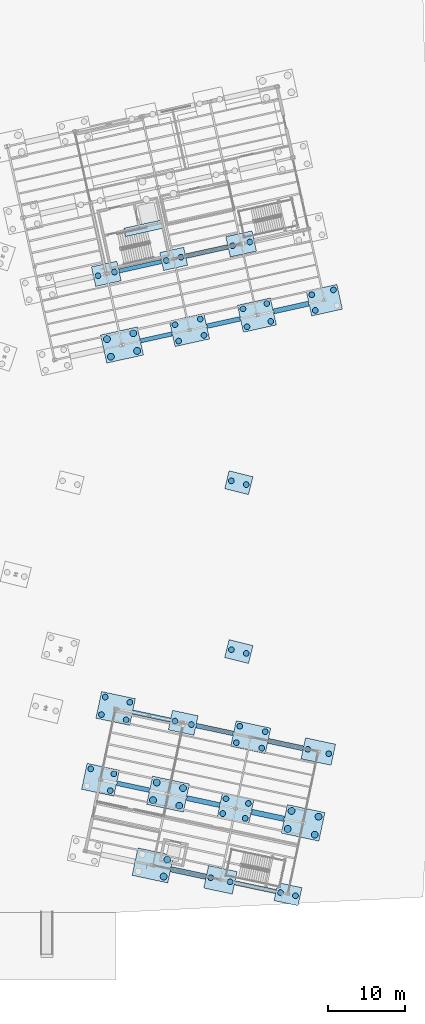
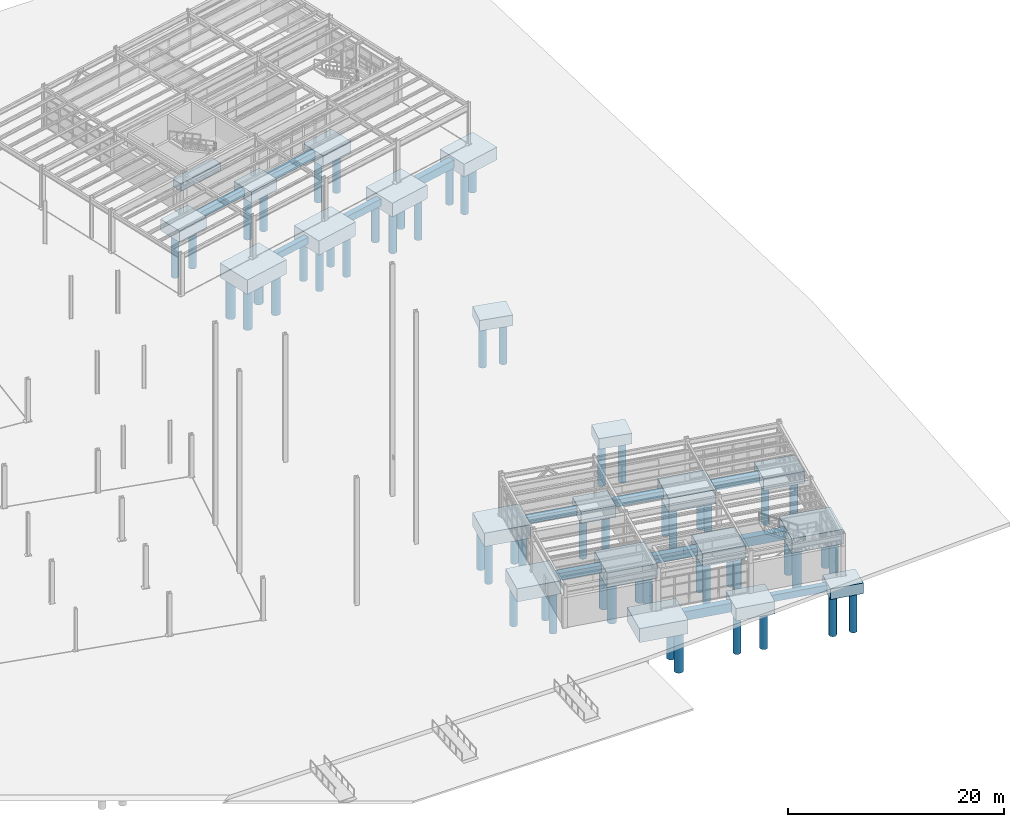
# One storey, part 7 of 108: 58 piles, 34 footings.
"""IFC4 building model written with IfcOpenShell, lengths in metres."""

import ifcopenshell
import ifcopenshell.guid

model = None  # the IFC model being written
_history = None  # IfcOwnerHistory: only IFC2X3 demands one
_inside = {}  # id of a spatial element -> (the spatial element, [elements in it])
_under = {}  # id of a project, library or spatial element -> (it, [spatial elements below it])
_declared = {}  # id of a project -> (the project, [libraries it declares])
_typed = {}  # id of a type object -> (the type object, [elements of that type])
_made_of = {}  # id of a material, layer set ... -> (it, [elements and type objects made of it])


def new_model(schema):
    """Start an empty IFC model of exactly this schema.

    Asked for "IFC4X3", IfcOpenShell would pick the latest addendum, in which some entities
    have other attributes; the version numbers below select the first issue.
    IFC2X3 requires an IfcOwnerHistory on every rooted entity: one is made here for all.
    """
    global model, _history
    if schema == "IFC4X3":
        model = ifcopenshell.file(schema_version=(4, 3, 0, 0))
    else:
        model = ifcopenshell.file(schema=schema)
    _inside.clear()
    _under.clear()
    _declared.clear()
    _typed.clear()
    _made_of.clear()
    _history = None
    if model.schema == "IFC2X3":
        org = make("IfcOrganization", Name="unknown")
        user = make(
            "IfcPersonAndOrganization",
            ThePerson=make("IfcPerson", FamilyName="unknown"),
            TheOrganization=org,
        )
        app = make(
            "IfcApplication",
            ApplicationDeveloper=org,
            Version="unknown",
            ApplicationFullName="unknown",
            ApplicationIdentifier="unknown",
        )
        _history = make(
            "IfcOwnerHistory",
            OwningUser=user,
            OwningApplication=app,
            ChangeAction="ADDED",
            CreationDate=0,
        )
    return model


def make(cls, **values):
    """One entity of the class cls with the attributes given. An attribute that is None is left unset."""
    return model.create_entity(
        cls, **{name: value for name, value in values.items() if value is not None}
    )


def rooted(cls, **values):
    """An entity with a GlobalId (a new one), such as an element, a storey or a relation."""
    return make(cls, GlobalId=ifcopenshell.guid.new(), OwnerHistory=_history, **values)


def si_unit(unit_type, name, prefix=None):
    """IfcSIUnit, for example si_unit("LENGTHUNIT", "METRE", prefix="MILLI")."""
    return make("IfcSIUnit", UnitType=unit_type, Prefix=prefix, Name=name)


def assignment(units):
    """IfcUnitAssignment: the units of a project."""
    return None if units is None else make("IfcUnitAssignment", Units=units)


def point(xyz):
    """IfcCartesianPoint."""
    return None if xyz is None else make("IfcCartesianPoint", Coordinates=xyz)


def direction(xyz):
    """IfcDirection."""
    return None if xyz is None else make("IfcDirection", DirectionRatios=xyz)


def frame(location, z_axis=None, x_axis=None):
    """IfcAxis2Placement3D, a coordinate frame: its origin and axes. An axis left out is left unset."""
    return make(
        "IfcAxis2Placement3D",
        Location=point(location),
        Axis=direction(z_axis),
        RefDirection=direction(x_axis),
    )


def frame_2d(location, x_axis=None):
    """IfcAxis2Placement2D, a coordinate frame in the plane: its origin and x axis."""
    return make(
        "IfcAxis2Placement2D", Location=point(location), RefDirection=direction(x_axis)
    )


def origin():
    """The frame at (0, 0, 0) with its axes left unset."""
    return frame((0.0, 0.0, 0.0))


def origin_2d():
    """The frame at (0, 0) in the plane with its x axis left unset."""
    return frame_2d((0.0, 0.0))


def place(relative_to, where):
    """IfcLocalPlacement: puts the frame where relative to a parent placement (None: the world)."""
    return make(
        "IfcLocalPlacement", PlacementRelTo=relative_to, RelativePlacement=where
    )


def context(
    kind, dimensions, precision=None, world=None, true_north=None, identifier=None
):
    """IfcGeometricRepresentationContext, for example the 3D "Model" context."""
    return make(
        "IfcGeometricRepresentationContext",
        ContextIdentifier=identifier,
        ContextType=kind,
        CoordinateSpaceDimension=dimensions,
        Precision=precision,
        WorldCoordinateSystem=world,
        TrueNorth=true_north,
    )


def subcontext(parent, identifier, kind, view, scale=None):
    """IfcGeometricRepresentationSubContext, for example "Body" below "Model"."""
    return make(
        "IfcGeometricRepresentationSubContext",
        ContextIdentifier=identifier,
        ContextType=kind,
        ParentContext=parent,
        TargetScale=scale,
        TargetView=view,
    )


def project(units=None, contexts=None):
    """IfcProject with its units and contexts."""
    return rooted(
        "IfcProject",
        Name="project",
        RepresentationContexts=contexts,
        UnitsInContext=assignment(units),
    )


def spatial(cls, under=None, at=None, **own):
    """A site, building, storey or space (cls), placed at a placement, below another one or the project."""
    s = rooted(cls, ObjectPlacement=at, **own)
    if under is not None:
        _under.setdefault(under.id(), (under, []))[1].append(s)
    return s


def profile(cls, at=None, kind="AREA", **sizes):
    """A parametric profile (cls). Its sizes go by their IFC names, for example OverallWidth=200.0."""
    return make(cls, ProfileType=kind, Position=at, **sizes)


def rectangle(**sizes):
    """IfcRectangleProfileDef."""
    return profile("IfcRectangleProfileDef", **sizes)


def circle(**sizes):
    """IfcCircleProfileDef."""
    return profile("IfcCircleProfileDef", **sizes)


def extrude(swept, where, along, depth):
    """IfcExtrudedAreaSolid: the profile swept, set in the frame where, extruded along a direction by depth."""
    return make(
        "IfcExtrudedAreaSolid",
        SweptArea=swept,
        Position=where,
        ExtrudedDirection=direction(along),
        Depth=depth,
    )


def shape(context_of_items, identifier, shape_type, items):
    """IfcShapeRepresentation: the items that make up one representation, for example the "Body"."""
    return make(
        "IfcShapeRepresentation",
        ContextOfItems=context_of_items,
        RepresentationIdentifier=identifier,
        RepresentationType=shape_type,
        Items=items,
    )


def material(Name=None, Category=None):
    """IfcMaterial."""
    return make("IfcMaterial", Name=Name, Category=Category)


def material_profile(
    of_material, cross_section, Name=None, Category=None, Priority=None
):
    """IfcMaterialProfile: a cross section and its material."""
    return make(
        "IfcMaterialProfile",
        Name=Name,
        Material=of_material,
        Profile=cross_section,
        Priority=Priority,
        Category=Category,
    )


def profile_set(profiles, Name=None, composite=None):
    """IfcMaterialProfileSet."""
    return make(
        "IfcMaterialProfileSet",
        Name=Name,
        MaterialProfiles=profiles,
        CompositeProfile=composite,
    )


def made_of(thing, what):
    """Note that an element or type object is made of a material, layer set ...; save() writes the relation."""
    if what is not None:
        _made_of.setdefault(what.id(), (what, []))[1].append(thing)
    return thing


def type_object(cls, material=None, **own):
    """A type object (cls), such as IfcWallType, which elements share."""
    return made_of(rooted(cls, **own), material)


def element(
    cls,
    number,
    at=None,
    inside=None,
    cuts=None,
    type_object=None,
    material=None,
    context=None,
    identifier="Body",
    shape_type=None,
    held_by="IfcProductDefinitionShape",
    body=None,
    shapes=None,
    **own,
):
    """One element of the class cls, such as IfcWall. Its Tag is "e" and its number.

    at: its placement. inside: the storey or other place that contains it. cuts: it is an
    opening in that element (IfcRelVoidsElement). A single representation is given by context,
    identifier, shape_type and body (its items); several are given by shapes. held_by: the class
    of the entity that holds the representations. save() writes the other relations.
    """
    e = rooted(cls, Tag="e%d" % number, ObjectPlacement=at, **own)
    if body is not None:
        shapes = [shape(context, identifier, shape_type, body)]
    if shapes is not None:
        e.Representation = make(held_by, Representations=shapes)
    if inside is not None:
        _inside.setdefault(inside.id(), (inside, []))[1].append(e)
    if cuts is not None:
        rooted(
            "IfcRelVoidsElement", RelatingBuildingElement=cuts, RelatedOpeningElement=e
        )
    if type_object is not None:
        _typed.setdefault(type_object.id(), (type_object, []))[1].append(e)
    return made_of(e, material)


def aggregate(whole, parts):
    """IfcRelAggregates: a whole, such as a stair, and the parts it consists of."""
    return rooted("IfcRelAggregates", RelatingObject=whole, RelatedObjects=parts)


def save(model, path):
    """Write the relations noted so far, then the file.

    IfcRelAggregates (storeys below a building ...), IfcRelContainedInSpatialStructure (elements
    in a storey), IfcRelDefinesByType, IfcRelAssociatesMaterial and IfcRelDeclares: one each for
    every whole, place, type object, material and project.
    """
    for whole, parts in _under.values():
        aggregate(whole, parts)
    for where, things in _inside.values():
        rooted(
            "IfcRelContainedInSpatialStructure",
            RelatedElements=things,
            RelatingStructure=where,
        )
    for kind, things in _typed.values():
        rooted("IfcRelDefinesByType", RelatedObjects=things, RelatingType=kind)
    for what, things in _made_of.values():
        rooted("IfcRelAssociatesMaterial", RelatedObjects=things, RelatingMaterial=what)
    for by, libraries in _declared.values():
        rooted("IfcRelDeclares", RelatingContext=by, RelatedDefinitions=libraries)
    model.write(path)


model = new_model("IFC4")

# Units and contexts
model_context = context("Model", 3, precision=1e-05, world=origin(), true_north=direction((0.0, 1.0)))
body_context = subcontext(model_context, "Body", "Model", "MODEL_VIEW")
ifc_project = project(units=[si_unit("LENGTHUNIT", "METRE"), si_unit("AREAUNIT", "SQUARE_METRE"), si_unit("VOLUMEUNIT", "CUBIC_METRE"), si_unit("PLANEANGLEUNIT", "RADIAN"), si_unit("MASSUNIT", "GRAM", prefix="KILO")], contexts=[model_context])

# Site, building, storey
site_placement = place(None, origin())
site = spatial("IfcSite", under=ifc_project, at=site_placement, CompositionType="ELEMENT")
building_placement = place(site_placement, origin())
building = spatial("IfcBuilding", under=site, at=building_placement, Name="Vireo Bluff Cable Station", CompositionType="ELEMENT")
storey_placement = place(building_placement, origin())
storey = spatial("IfcBuildingStorey", under=building, at=storey_placement, Name="L00", CompositionType="ELEMENT", Elevation=0.0)

# Piles
ifc_material_1 = material(Name="Concrete f'c 45 MPa", Category="concrete")
ifc_material_profile_1 = material_profile(ifc_material_1, circle(Radius=0.375, at=origin_2d()), Name="BOREDPILE-750")
ifc_profile_set_1 = profile_set([ifc_material_profile_1], Name="Concrete f'c 45 MPa")
pile_type_1 = type_object("IfcPileType", Name="BOREDPILE-750", PredefinedType="BORED", material=ifc_profile_set_1)
for number, where, z_axis, x_axis, name in (
    (1, (131.661376953125, 84.98583984375, -1.6298828125), (0.0, 0.0, -1.0), (1.0, 0.0, 0.0), "V2 rock-socketed bored pile 99"),
    (2, (133.799560546875, 85.459716796875, -1.6298828125), (0.0, 0.0, -1.0), (1.0, 0.0, 0.0), "V2 rock-socketed bored pile 100"),
):
    element("IfcPile", number, at=place(storey_placement, frame(where, z_axis=z_axis, x_axis=x_axis)), inside=storey, type_object=pile_type_1, Name=name, PredefinedType="BORED", context=body_context, shape_type="SweptSolid", body=[
        extrude(circle(Radius=0.375, at=origin_2d()), origin(), (0.0, 0.0, 1.0), 4.8701171875),
    ])
for number, where, z_axis, x_axis, name in (
    (3, (142.155517578125, 76.4599609375, -1.929931640625), (0.0, 0.0, -1.0), (1.0, 0.0, 0.0), "V2 rock-socketed bored pile 107"),
    (4, (145.465087890625, 77.19384765625, -1.929931640625), (0.0, 0.0, -1.0), (1.0, 0.0, 0.0), "V2 rock-socketed bored pile 108"),
    (5, (144.9912109375, 79.331787109375, -1.929931640625), (0.0, 0.0, -1.0), (1.0, 0.0, 0.0), "V2 rock-socketed bored pile 109"),
    (6, (141.681396484375, 78.59814453125, -1.929931640625), (0.0, 0.0, -1.0), (1.0, 0.0, 0.0), "V2 rock-socketed bored pile 110"),
):
    element("IfcPile", number, at=place(storey_placement, frame(where, z_axis=z_axis, x_axis=x_axis)), inside=storey, type_object=pile_type_1, Name=name, PredefinedType="BORED", context=body_context, shape_type="SweptSolid", body=[
        extrude(circle(Radius=0.375, at=origin_2d()), origin(), (0.0, 0.0, 1.0), 4.570068359375),
    ])
for number, where, z_axis, x_axis, name in (
    (7, (140.545654296875, 86.955322265625, -1.530029296875), (0.0, 0.0, -1.0), (1.0, 0.0, 0.0), "V2 rock-socketed bored pile 111"),
    (8, (142.488525390625, 87.385986328125, -1.530029296875), (0.0, 0.0, -1.0), (1.0, 0.0, 0.0), "V2 rock-socketed bored pile 112"),
):
    element("IfcPile", number, at=place(storey_placement, frame(where, z_axis=z_axis, x_axis=x_axis)), inside=storey, type_object=pile_type_1, Name=name, PredefinedType="BORED", context=body_context, shape_type="SweptSolid", body=[
        extrude(circle(Radius=0.375, at=origin_2d()), origin(), (0.0, 0.0, 1.0), 4.969970703125),
    ])
for number, where, z_axis, x_axis, name in (
    (9, (151.0615234375, 78.33203125, -1.8798828125), (0.0, 0.0, -1.0), (1.0, 0.0, 0.0), "V2 rock-socketed bored pile 119"),
    (10, (154.17578125, 79.0224609375, -1.8798828125), (0.0, 0.0, -1.0), (1.0, 0.0, 0.0), "V2 rock-socketed bored pile 120"),
    (11, (153.658447265625, 81.355712890625, -1.8798828125), (0.0, 0.0, -1.0), (1.0, 0.0, 0.0), "V2 rock-socketed bored pile 121"),
    (12, (150.544189453125, 80.665283203125, -1.8798828125), (0.0, 0.0, -1.0), (1.0, 0.0, 0.0), "V2 rock-socketed bored pile 122"),
):
    element("IfcPile", number, at=place(storey_placement, frame(where, z_axis=z_axis, x_axis=x_axis)), inside=storey, type_object=pile_type_1, Name=name, PredefinedType="BORED", context=body_context, shape_type="SweptSolid", body=[
        extrude(circle(Radius=0.375, at=origin_2d()), origin(), (0.0, 0.0, 1.0), 4.6201171875),
    ])
for number, where, z_axis, x_axis, name in (
    (13, (149.18603515625, 88.870849609375, -1.580078125), (0.0, 0.0, -1.0), (1.0, 0.0, 0.0), "V2 rock-socketed bored pile 123"),
    (14, (151.421630859375, 89.366455078125, -1.580078125), (0.0, 0.0, -1.0), (1.0, 0.0, 0.0), "V2 rock-socketed bored pile 124"),
):
    element("IfcPile", number, at=place(storey_placement, frame(where, z_axis=z_axis, x_axis=x_axis)), inside=storey, type_object=pile_type_1, Name=name, PredefinedType="BORED", context=body_context, shape_type="SweptSolid", body=[
        extrude(circle(Radius=0.375, at=origin_2d()), origin(), (0.0, 0.0, 1.0), 4.919921875),
    ])
for number, where, z_axis, x_axis, name in (
    (15, (159.962158203125, 80.458740234375, -1.77001953125), (0.0, 0.0, -1.0), (1.0, 0.0, 0.0), "V2 rock-socketed bored pile 129"),
    (16, (162.331298828125, 83.124755859375, -1.77001953125), (0.0, 0.0, -1.0), (1.0, 0.0, 0.0), "V2 rock-socketed bored pile 131"),
    (17, (159.509765625, 82.499267578125, -1.77001953125), (0.0, 0.0, -1.0), (1.0, 0.0, 0.0), "V2 rock-socketed bored pile 132"),
):
    element("IfcPile", number, at=place(storey_placement, frame(where, z_axis=z_axis, x_axis=x_axis)), inside=storey, type_object=pile_type_1, Name=name, PredefinedType="BORED", context=body_context, shape_type="SweptSolid", body=[
        extrude(circle(Radius=0.375, at=origin_2d()), origin(), (0.0, 0.0, 1.0), 4.72998046875),
    ])
for number, where, z_axis, x_axis, name in (
    (18, (133.25341796875, 17.875732421875, -1.81005859375), (0.0, 0.0, -1.0), (1.0, 0.0, 0.0), "V5E rock-socketed bored pile 334"),
    (19, (133.71923828125, 20.066650390625, -1.81005859375), (0.0, 0.0, -1.0), (1.0, 0.0, 0.0), "V5E rock-socketed bored pile 335"),
    (20, (130.69677734375, 20.709228515625, -1.81005859375), (0.0, 0.0, -1.0), (1.0, 0.0, 0.0), "V5E rock-socketed bored pile 336"),
):
    element("IfcPile", number, at=place(storey_placement, frame(where, z_axis=z_axis, x_axis=x_axis)), inside=storey, type_object=pile_type_1, Name=name, PredefinedType="BORED", context=body_context, shape_type="SweptSolid", body=[
        extrude(circle(Radius=0.375, at=origin_2d()), origin(), (0.0, 0.0, 1.0), 4.68994140625),
    ])
for number, where, z_axis, x_axis, name in (
    (21, (132.097900390625, 27.782470703125, -1.85009765625), (0.0, 0.0, -1.0), (1.0, 0.0, 0.0), "V5E rock-socketed bored pile 337"),
    (22, (135.316162109375, 27.098388671875, -1.85009765625), (0.0, 0.0, -1.0), (1.0, 0.0, 0.0), "V5E rock-socketed bored pile 338"),
    (23, (135.802734375, 29.38720703125, -1.85009765625), (0.0, 0.0, -1.0), (1.0, 0.0, 0.0), "V5E rock-socketed bored pile 339"),
    (24, (132.58447265625, 30.0712890625, -1.85009765625), (0.0, 0.0, -1.0), (1.0, 0.0, 0.0), "V5E rock-socketed bored pile 340"),
):
    element("IfcPile", number, at=place(storey_placement, frame(where, z_axis=z_axis, x_axis=x_axis)), inside=storey, type_object=pile_type_1, Name=name, PredefinedType="BORED", context=body_context, shape_type="SweptSolid", body=[
        extrude(circle(Radius=0.375, at=origin_2d()), origin(), (0.0, 0.0, 1.0), 4.64990234375),
    ])
for number, where, z_axis, x_axis, name in (
    (25, (141.6826171875, 26.941162109375, -1.6298828125), (0.0, 0.0, -1.0), (1.0, 0.0, 0.0), "V5E rock-socketed bored pile 349"),
    (26, (143.82470703125, 26.48583984375, -1.6298828125), (0.0, 0.0, -1.0), (1.0, 0.0, 0.0), "V5E rock-socketed bored pile 350"),
):
    element("IfcPile", number, at=place(storey_placement, frame(where, z_axis=z_axis, x_axis=x_axis)), inside=storey, type_object=pile_type_1, Name=name, PredefinedType="BORED", context=body_context, shape_type="SweptSolid", body=[
        extrude(circle(Radius=0.375, at=origin_2d()), origin(), (0.0, 0.0, 1.0), 4.8701171875),
    ])
for number, where, z_axis, x_axis, name in (
    (27, (146.33984375, 6.52685546875, -1.72998046875), (0.0, 0.0, -1.0), (1.0, 0.0, 0.0), "V5E rock-socketed bored pile 351"),
    (28, (148.873291015625, 5.98828125, -1.72998046875), (0.0, 0.0, -1.0), (1.0, 0.0, 0.0), "V5E rock-socketed bored pile 352"),
):
    element("IfcPile", number, at=place(storey_placement, frame(where, z_axis=z_axis, x_axis=x_axis)), inside=storey, type_object=pile_type_1, Name=name, PredefinedType="BORED", context=body_context, shape_type="SweptSolid", body=[
        extrude(circle(Radius=0.375, at=origin_2d()), origin(), (0.0, 0.0, 1.0), 4.77001953125),
    ])
for number, where, z_axis, x_axis, name in (
    (29, (147.91259765625, 14.887451171875, -1.830078125), (0.0, 0.0, -1.0), (1.0, 0.0, 0.0), "V5E rock-socketed bored pile 353"),
    (30, (150.837158203125, 14.265869140625, -1.830078125), (0.0, 0.0, -1.0), (1.0, 0.0, 0.0), "V5E rock-socketed bored pile 354"),
    (31, (151.2509765625, 16.21240234375, -1.830078125), (0.0, 0.0, -1.0), (1.0, 0.0, 0.0), "V5E rock-socketed bored pile 355"),
    (32, (148.326416015625, 16.833984375, -1.830078125), (0.0, 0.0, -1.0), (1.0, 0.0, 0.0), "V5E rock-socketed bored pile 356"),
):
    element("IfcPile", number, at=place(storey_placement, frame(where, z_axis=z_axis, x_axis=x_axis)), inside=storey, type_object=pile_type_1, Name=name, PredefinedType="BORED", context=body_context, shape_type="SweptSolid", body=[
        extrude(circle(Radius=0.375, at=origin_2d()), origin(), (0.0, 0.0, 1.0), 4.669921875),
    ])
for number, where, z_axis, x_axis, name in (
    (33, (149.67138671875, 24.123779296875, -1.929931640625), (0.0, 0.0, -1.0), (1.0, 0.0, 0.0), "V5E rock-socketed bored pile 357"),
    (34, (152.9873046875, 23.4189453125, -1.929931640625), (0.0, 0.0, -1.0), (1.0, 0.0, 0.0), "V5E rock-socketed bored pile 358"),
    (35, (153.442626953125, 25.56103515625, -1.929931640625), (0.0, 0.0, -1.0), (1.0, 0.0, 0.0), "V5E rock-socketed bored pile 359"),
    (36, (150.126708984375, 26.265869140625, -1.929931640625), (0.0, 0.0, -1.0), (1.0, 0.0, 0.0), "V5E rock-socketed bored pile 360"),
):
    element("IfcPile", number, at=place(storey_placement, frame(where, z_axis=z_axis, x_axis=x_axis)), inside=storey, type_object=pile_type_1, Name=name, PredefinedType="BORED", context=body_context, shape_type="SweptSolid", body=[
        extrude(circle(Radius=0.375, at=origin_2d()), origin(), (0.0, 0.0, 1.0), 4.570068359375),
    ])
for number, where, z_axis, x_axis, name in (
    (37, (155.436767578125, 4.59326171875, -1.530029296875), (0.0, 0.0, -1.0), (1.0, 0.0, 0.0), "V5E rock-socketed bored pile 361"),
    (38, (157.38330078125, 4.179443359375, -1.530029296875), (0.0, 0.0, -1.0), (1.0, 0.0, 0.0), "V5E rock-socketed bored pile 362"),
):
    element("IfcPile", number, at=place(storey_placement, frame(where, z_axis=z_axis, x_axis=x_axis)), inside=storey, type_object=pile_type_1, Name=name, PredefinedType="BORED", context=body_context, shape_type="SweptSolid", body=[
        extrude(circle(Radius=0.375, at=origin_2d()), origin(), (0.0, 0.0, 1.0), 4.969970703125),
    ])
for number, where, z_axis, x_axis, name in (
    (39, (158.995849609375, 23.26123046875, -1.679931640625), (0.0, 0.0, -1.0), (1.0, 0.0, 0.0), "V5E rock-socketed bored pile 367"),
    (40, (161.724853515625, 22.68115234375, -1.679931640625), (0.0, 0.0, -1.0), (1.0, 0.0, 0.0), "V5E rock-socketed bored pile 368"),
):
    element("IfcPile", number, at=place(storey_placement, frame(where, z_axis=z_axis, x_axis=x_axis)), inside=storey, type_object=pile_type_1, Name=name, PredefinedType="BORED", context=body_context, shape_type="SweptSolid", body=[
        extrude(circle(Radius=0.375, at=origin_2d()), origin(), (0.0, 0.0, 1.0), 4.820068359375),
    ])
for number, where, z_axis, x_axis, name in (
    (41, (149.03466796875, 36.24072265625, -1.530029296875), (0.0, 0.0, -1.0), (1.0, 0.0, 0.0), "PLAZA rock-socketed bored pile 409"),
    (42, (150.96533203125, 35.75927734375, -1.530029296875), (0.0, 0.0, -1.0), (1.0, 0.0, 0.0), "PLAZA rock-socketed bored pile 410"),
    (43, (149.03466796875, 58.24072265625, -1.530029296875), (0.0, 0.0, -1.0), (1.0, 0.0, 0.0), "PLAZA rock-socketed bored pile 411"),
    (44, (150.96533203125, 57.75927734375, -1.530029296875), (0.0, 0.0, -1.0), (1.0, 0.0, 0.0), "PLAZA rock-socketed bored pile 412"),
):
    element("IfcPile", number, at=place(storey_placement, frame(where, z_axis=z_axis, x_axis=x_axis)), inside=storey, type_object=pile_type_1, Name=name, PredefinedType="BORED", context=body_context, shape_type="SweptSolid", body=[
        extrude(circle(Radius=0.375, at=origin_2d()), origin(), (0.0, 0.0, 1.0), 4.969970703125),
    ])
ifc_material_profile_2 = material_profile(ifc_material_1, circle(Radius=0.449951171875, at=origin_2d()), Name="BOREDPILE-900")
ifc_profile_set_2 = profile_set([ifc_material_profile_2], Name="Concrete f'c 45 MPa")
pile_type_2 = type_object("IfcPileType", Name="BOREDPILE-900", PredefinedType="BORED", material=ifc_profile_set_2)
for number, where, z_axis, x_axis, name in (
    (45, (133.33251953125, 74.422119140625, -1.949951171875), (0.0, 0.0, -1.0), (1.0, 0.0, 0.0), "V2 rock-socketed bored pile 95"),
    (46, (136.74951171875, 75.1796875, -1.949951171875), (0.0, 0.0, -1.0), (1.0, 0.0, 0.0), "V2 rock-socketed bored pile 96"),
    (47, (136.240966796875, 77.473876953125, -1.949951171875), (0.0, 0.0, -1.0), (1.0, 0.0, 0.0), "V2 rock-socketed bored pile 97"),
    (48, (132.82373046875, 76.71630859375, -1.949951171875), (0.0, 0.0, -1.0), (1.0, 0.0, 0.0), "V2 rock-socketed bored pile 98"),
):
    element("IfcPile", number, at=place(storey_placement, frame(where, z_axis=z_axis, x_axis=x_axis)), inside=storey, type_object=pile_type_2, Name=name, PredefinedType="BORED", context=body_context, shape_type="SweptSolid", body=[
        extrude(circle(Radius=0.449951171875, at=origin_2d()), origin(), (0.0, 0.0, 1.0), 4.550048828125),
    ])
for number, where, z_axis, x_axis, name in (
    (49, (140.207763671875, 6.68017578125, -1.909912109375), (0.0, 0.0, -1.0), (1.0, 0.0, 0.0), "V5E rock-socketed bored pile 342"),
    (50, (140.675537109375, 8.880859375, -1.909912109375), (0.0, 0.0, -1.0), (1.0, 0.0, 0.0), "V5E rock-socketed bored pile 343"),
):
    element("IfcPile", number, at=place(storey_placement, frame(where, z_axis=z_axis, x_axis=x_axis)), inside=storey, type_object=pile_type_2, Name=name, PredefinedType="BORED", context=body_context, shape_type="SweptSolid", body=[
        extrude(circle(Radius=0.449951171875, at=origin_2d()), origin(), (0.0, 0.0, 1.0), 4.590087890625),
    ])
for number, where, z_axis, x_axis, name in (
    (51, (138.822509765625, 16.6357421875, -1.949951171875), (0.0, 0.0, -1.0), (1.0, 0.0, 0.0), "V5E rock-socketed bored pile 345"),
    (52, (142.245849609375, 15.907958984375, -1.949951171875), (0.0, 0.0, -1.0), (1.0, 0.0, 0.0), "V5E rock-socketed bored pile 346"),
    (53, (142.734619140625, 18.206787109375, -1.949951171875), (0.0, 0.0, -1.0), (1.0, 0.0, 0.0), "V5E rock-socketed bored pile 347"),
    (54, (139.31103515625, 18.934326171875, -1.949951171875), (0.0, 0.0, -1.0), (1.0, 0.0, 0.0), "V5E rock-socketed bored pile 348"),
):
    element("IfcPile", number, at=place(storey_placement, frame(where, z_axis=z_axis, x_axis=x_axis)), inside=storey, type_object=pile_type_2, Name=name, PredefinedType="BORED", context=body_context, shape_type="SweptSolid", body=[
        extrude(circle(Radius=0.449951171875, at=origin_2d()), origin(), (0.0, 0.0, 1.0), 4.550048828125),
    ])
for number, where, z_axis, x_axis, name in (
    (55, (156.375, 12.879150390625, -1.97998046875), (0.0, 0.0, -1.0), (1.0, 0.0, 0.0), "V5E rock-socketed bored pile 363"),
    (56, (159.896240234375, 12.130859375, -1.97998046875), (0.0, 0.0, -1.0), (1.0, 0.0, 0.0), "V5E rock-socketed bored pile 364"),
    (57, (160.395263671875, 14.478271484375, -1.97998046875), (0.0, 0.0, -1.0), (1.0, 0.0, 0.0), "V5E rock-socketed bored pile 365"),
    (58, (156.8740234375, 15.226806640625, -1.97998046875), (0.0, 0.0, -1.0), (1.0, 0.0, 0.0), "V5E rock-socketed bored pile 366"),
):
    element("IfcPile", number, at=place(storey_placement, frame(where, z_axis=z_axis, x_axis=x_axis)), inside=storey, type_object=pile_type_2, Name=name, PredefinedType="BORED", context=body_context, shape_type="SweptSolid", body=[
        extrude(circle(Radius=0.449951171875, at=origin_2d()), origin(), (0.0, 0.0, 1.0), 4.52001953125),
    ])

# Footings
ifc_material_2 = material(Name="Concrete f'c 40 MPa", Category="concrete")
ifc_material_profile_3 = material_profile(ifc_material_2, rectangle(XDim=0.550048828125, YDim=0.75, at=origin_2d()), Name="GRADEBM-550X750")
ifc_profile_set_3 = profile_set([ifc_material_profile_3], Name="Concrete f'c 40 MPa")
footing_type_1 = type_object("IfcFootingType", Name="GRADEBM-550X750", PredefinedType="FOOTING_BEAM", material=ifc_profile_set_3)
footing_1_placement = place(storey_placement, frame((137.217529296875, 76.48681640625, -1.110107421875), z_axis=(0.9762957621, 0.216440719146, 0.0), x_axis=(-0.216440719146, 0.9762957621, 0.0)))
element("IfcFooting", 59, at=footing_1_placement, inside=storey, type_object=footing_type_1, Name="V2 foundation grade beam 24", PredefinedType="FOOTING_BEAM", context=body_context, shape_type="SweptSolid", body=[
    extrude(rectangle(XDim=0.550048828125, YDim=0.75, at=origin_2d()), origin(), (0.0, 0.0, 1.0), 4.170166015625),
])
footing_2_placement = place(storey_placement, frame((134.42919921875, 85.599365234375, -0.949951171875), z_axis=(0.976299365321, 0.216424465517, 0.0), x_axis=(-0.216424465517, 0.976299365321, 0.0)))
element("IfcFooting", 60, at=footing_2_placement, inside=storey, type_object=footing_type_1, Name="V2 foundation grade beam 28", PredefinedType="FOOTING_BEAM", context=body_context, shape_type="SweptSolid", body=[
    extrude(rectangle(XDim=0.550048828125, YDim=0.75, at=origin_2d()), origin(), (0.0, 0.0, 1.0), 5.6201171875),
])
footing_3_placement = place(storey_placement, frame((149.504150390625, 5.854248046875, -1.0), z_axis=(0.978146485855, -0.20791693584, 0.0), x_axis=(0.20791693584, 0.978146485855, 0.0)))
element("IfcFooting", 61, at=footing_3_placement, inside=storey, type_object=footing_type_1, Name="V5E foundation grade beam 96", PredefinedType="FOOTING_BEAM", context=body_context, shape_type="SweptSolid", body=[
    extrude(rectangle(XDim=0.550048828125, YDim=0.75, at=origin_2d()), origin(), (0.0, 0.0, 1.0), 5.420166015625),
])
footing_4_placement = place(storey_placement, frame((136.190185546875, 28.108642578125, -1.06005859375), z_axis=(0.978153981839, -0.207881667812, 0.0), x_axis=(0.207881667812, 0.978153981839, 0.0)))
element("IfcFooting", 62, at=footing_4_placement, inside=storey, type_object=footing_type_1, Name="V5E foundation grade beam 100", PredefinedType="FOOTING_BEAM", context=body_context, shape_type="SweptSolid", body=[
    extrude(rectangle(XDim=0.550048828125, YDim=0.75, at=origin_2d()), origin(), (0.0, 0.0, 1.0), 4.97021484375),
])
ifc_material_profile_4 = material_profile(ifc_material_2, rectangle(XDim=0.60009765625, YDim=0.800048828125, at=origin_2d()), Name="GRADEBM-600X800")
ifc_profile_set_4 = profile_set([ifc_material_profile_4], Name="Concrete f'c 40 MPa")
footing_type_2 = type_object("IfcFootingType", Name="GRADEBM-600X800", PredefinedType="FOOTING_BEAM", material=ifc_profile_set_4)
footing_5_placement = place(storey_placement, frame((145.85791015625, 78.40234375, -1.10009765625), z_axis=(0.976289624119, 0.216468403786, 0.0), x_axis=(-0.216468403786, 0.976289624119, 0.0)))
element("IfcFooting", 63, at=footing_5_placement, inside=storey, type_object=footing_type_2, Name="V2 foundation grade beam 25", PredefinedType="FOOTING_BEAM", context=body_context, shape_type="SweptSolid", body=[
    extrude(rectangle(XDim=0.60009765625, YDim=0.800048828125, at=origin_2d()), origin(), (0.0, 0.0, 1.0), 4.419921875),
])
footing_6_placement = place(storey_placement, frame((143.1181640625, 87.525634765625, -0.89990234375), z_axis=(0.976296256411, 0.216438489457, 0.0), x_axis=(-0.216438489457, 0.976296256411, 0.0)))
element("IfcFooting", 64, at=footing_6_placement, inside=storey, type_object=footing_type_2, Name="V2 foundation grade beam 29", PredefinedType="FOOTING_BEAM", context=body_context, shape_type="SweptSolid", body=[
    extrude(rectangle(XDim=0.60009765625, YDim=0.800048828125, at=origin_2d()), origin(), (0.0, 0.0, 1.0), 5.570068359375),
])
footing_7_placement = place(storey_placement, frame((134.1171875, 18.837158203125, -1.0400390625), z_axis=(0.978149227198, -0.207904038758, 0.0), x_axis=(0.207904038758, 0.978149227198, 0.0)))
element("IfcFooting", 65, at=footing_7_placement, inside=storey, type_object=footing_type_2, Name="V5E foundation grade beam 97", PredefinedType="FOOTING_BEAM", context=body_context, shape_type="SweptSolid", body=[
    extrude(rectangle(XDim=0.60009765625, YDim=0.800048828125, at=origin_2d()), origin(), (0.0, 0.0, 1.0), 4.3203125),
])
footing_8_placement = place(storey_placement, frame((144.45556640625, 26.351806640625, -0.949951171875), z_axis=(0.978146742377, -0.207915729026, 0.0), x_axis=(0.207915729026, 0.978146742377, 0.0)))
element("IfcFooting", 66, at=footing_8_placement, inside=storey, type_object=footing_type_2, Name="V5E foundation grade beam 101", PredefinedType="FOOTING_BEAM", context=body_context, shape_type="SweptSolid", body=[
    extrude(rectangle(XDim=0.60009765625, YDim=0.800048828125, at=origin_2d()), origin(), (0.0, 0.0, 1.0), 4.919921875),
])
ifc_material_profile_5 = material_profile(ifc_material_2, rectangle(XDim=0.64990234375, YDim=0.89990234375, at=origin_2d()), Name="GRADEBM-650X900")
ifc_profile_set_5 = profile_set([ifc_material_profile_5], Name="Concrete f'c 40 MPa")
footing_type_3 = type_object("IfcFootingType", Name="GRADEBM-650X900", PredefinedType="FOOTING_BEAM", material=ifc_profile_set_5)
footing_9_placement = place(storey_placement, frame((154.546875, 80.32861328125, -1.074951171875), z_axis=(0.976297640097, 0.216432247925, 0.0), x_axis=(-0.216432247925, 0.976297640097, 0.0)))
element("IfcFooting", 67, at=footing_9_placement, inside=storey, type_object=footing_type_3, Name="V2 foundation grade beam 26", PredefinedType="FOOTING_BEAM", context=body_context, shape_type="SweptSolid", body=[
    extrude(rectangle(XDim=0.64990234375, YDim=0.89990234375, at=origin_2d()), origin(), (0.0, 0.0, 1.0), 4.669921875),
])
footing_10_placement = place(storey_placement, frame((143.214111328125, 16.903564453125, -1.110107421875), z_axis=(0.978141240852, -0.207941609461, 0.0), x_axis=(0.207941609461, 0.978141240852, 0.0)))
element("IfcFooting", 68, at=footing_10_placement, inside=storey, type_object=footing_type_3, Name="V5E foundation grade beam 98", PredefinedType="FOOTING_BEAM", context=body_context, shape_type="SweptSolid", body=[
    extrude(rectangle(XDim=0.64990234375, YDim=0.89990234375, at=origin_2d()), origin(), (0.0, 0.0, 1.0), 4.369873046875),
])
footing_11_placement = place(storey_placement, frame((153.845947265625, 24.35595703125, -1.10009765625), z_axis=(0.978141388189, -0.207940916398, 0.0), x_axis=(0.207940916398, 0.978141388189, 0.0)))
element("IfcFooting", 69, at=footing_11_placement, inside=storey, type_object=footing_type_3, Name="V5E foundation grade beam 102", PredefinedType="FOOTING_BEAM", context=body_context, shape_type="SweptSolid", body=[
    extrude(rectangle(XDim=0.64990234375, YDim=0.89990234375, at=origin_2d()), origin(), (0.0, 0.0, 1.0), 4.6201171875),
])
ifc_material_profile_6 = material_profile(ifc_material_2, rectangle(XDim=0.699951171875, YDim=1.0, at=origin_2d()), Name="GRADEBM-700X1000")
ifc_profile_set_6 = profile_set([ifc_material_profile_6], Name="Concrete f'c 40 MPa")
footing_type_4 = type_object("IfcFootingType", Name="GRADEBM-700X1000", PredefinedType="FOOTING_BEAM", material=ifc_profile_set_6)
footing_12_placement = place(storey_placement, frame((141.16552734375, 7.626708984375, -1.090087890625), z_axis=(0.97814415458, -0.207927903037, 0.0), x_axis=(0.207927903037, 0.97814415458, 0.0)))
element("IfcFooting", 70, at=footing_12_placement, inside=storey, type_object=footing_type_4, Name="V5E foundation grade beam 95", PredefinedType="FOOTING_BEAM", context=body_context, shape_type="SweptSolid", body=[
    extrude(rectangle(XDim=0.699951171875, YDim=1.0, at=origin_2d()), origin(), (0.0, 0.0, 1.0), 4.64501953125),
])
footing_13_placement = place(storey_placement, frame((151.675048828125, 15.10498046875, -1.050048828125), z_axis=(0.978146784358, -0.207915531526, 0.0), x_axis=(0.207915531526, 0.978146784358, 0.0)))
element("IfcFooting", 71, at=footing_13_placement, inside=storey, type_object=footing_type_4, Name="V5E foundation grade beam 99", PredefinedType="FOOTING_BEAM", context=body_context, shape_type="SweptSolid", body=[
    extrude(rectangle(XDim=0.699951171875, YDim=1.0, at=origin_2d()), origin(), (0.0, 0.0, 1.0), 4.320068359375),
])
footing_type_5 = type_object("IfcFootingType", Name="PCAP-320X240X120", PredefinedType="PILE_CAP", material=ifc_material_2)
for number, where, z_axis, x_axis, name in (
    (72, (141.51708984375, 87.170654296875, -1.64990234375), (0.0, 0.0, 1.0), (0.97629600712, 0.216439613938, 0.0), "V2 pile cap 36"),
    (73, (156.409912109375, 4.386474609375, -1.64990234375), (0.0, 0.0, 1.0), (0.978147600734, -0.207911690818, 0.0), "V5E pile cap 116"),
    (74, (150.0, 36.0, -1.64990234375), (0.0, 0.0, 1.0), (0.970295726276, -0.2419218956, 0.0), "PLAZA pile cap 136"),
    (75, (150.0, 58.0, -1.64990234375), (0.0, 0.0, 1.0), (0.970295726276, -0.2419218956, 0.0), "PLAZA pile cap 137"),
):
    element("IfcFooting", number, at=place(storey_placement, frame(where, z_axis=z_axis, x_axis=x_axis)), inside=storey, type_object=footing_type_5, Name=name, PredefinedType="PILE_CAP", context=body_context, shape_type="SweptSolid", body=[
        extrude(rectangle(XDim=3.199951171875, YDim=2.39990234375, at=origin_2d()), origin(), (0.0, 0.0, 1.0), 1.199951171875),
    ])
footing_type_6 = type_object("IfcFootingType", Name="PCAP-340X260X130", PredefinedType="PILE_CAP", material=ifc_material_2)
for number, where, z_axis, x_axis, name in (
    (76, (132.73046875, 85.22265625, -1.75), (0.0, 0.0, 1.0), (0.97629600712, 0.216439613938, 0.0), "V2 pile cap 32"),
    (77, (142.753662109375, 26.713623046875, -1.75), (0.0, 0.0, 1.0), (0.978147600734, -0.207911690818, 0.0), "V5E pile cap 112"),
):
    element("IfcFooting", number, at=place(storey_placement, frame(where, z_axis=z_axis, x_axis=x_axis)), inside=storey, type_object=footing_type_6, Name=name, PredefinedType="PILE_CAP", context=body_context, shape_type="SweptSolid", body=[
        extrude(rectangle(XDim=3.39990234375, YDim=2.60009765625, at=origin_2d()), origin(), (0.0, 0.0, 1.0), 1.300048828125),
    ])
footing_type_7 = type_object("IfcFootingType", Name="PCAP-350X270X125", PredefinedType="PILE_CAP", material=ifc_material_2)
footing_14_placement = place(storey_placement, frame((150.3037109375, 89.11865234375, -1.699951171875), z_axis=(0.0, 0.0, 1.0), x_axis=(0.97629600712, 0.216439613938, 0.0)))
element("IfcFooting", 78, at=footing_14_placement, inside=storey, type_object=footing_type_7, Name="V2 pile cap 40", PredefinedType="PILE_CAP", context=body_context, shape_type="SweptSolid", body=[
    extrude(rectangle(XDim=3.5, YDim=2.699951171875, at=origin_2d()), origin(), (0.0, 0.0, 1.0), 1.25),
])
footing_type_8 = type_object("IfcFootingType", Name="PCAP-380X300X140", PredefinedType="PILE_CAP", material=ifc_material_2)
footing_15_placement = place(storey_placement, frame((147.606689453125, 6.257568359375, -1.849853515625), z_axis=(0.0, 0.0, 1.0), x_axis=(0.978147600734, -0.207911690818, 0.0)))
element("IfcFooting", 79, at=footing_15_placement, inside=storey, type_object=footing_type_8, Name="V5E pile cap 113", PredefinedType="PILE_CAP", context=body_context, shape_type="SweptSolid", body=[
    extrude(rectangle(XDim=3.800048828125, YDim=3.0, at=origin_2d()), origin(), (0.0, 0.0, 1.0), 1.39990234375),
])
footing_type_9 = type_object("IfcFootingType", Name="PCAP-400X280X135", PredefinedType="PILE_CAP", material=ifc_material_2)
footing_16_placement = place(storey_placement, frame((160.3603515625, 22.97119140625, -1.800048828125), z_axis=(0.0, 0.0, 1.0), x_axis=(0.978147600734, -0.207911690818, 0.0)))
element("IfcFooting", 80, at=footing_16_placement, inside=storey, type_object=footing_type_9, Name="V5E pile cap 118", PredefinedType="PILE_CAP", context=body_context, shape_type="SweptSolid", body=[
    extrude(rectangle(XDim=4.0, YDim=2.800048828125, at=origin_2d()), origin(), (0.0, 0.0, 1.0), 1.35009765625),
])
footing_type_10 = type_object("IfcFootingType", Name="PCAP-409X330X144", PredefinedType="PILE_CAP", material=ifc_material_2)
footing_17_placement = place(storey_placement, frame((161.146728515625, 81.791748046875, -1.889892578125), z_axis=(0.0, 0.0, 1.0), x_axis=(0.97629600712, 0.216439613938, 0.0)))
element("IfcFooting", 81, at=footing_17_placement, inside=storey, type_object=footing_type_10, Name="V2 pile cap 43", PredefinedType="PILE_CAP", context=body_context, shape_type="SweptSolid", body=[
    extrude(rectangle(XDim=4.10009765625, YDim=3.300048828125, at=origin_2d()), origin(), (0.0, 0.0, 1.0), 1.43994140625),
])
footing_type_11 = type_object("IfcFootingType", Name="PCAP-420X320X150", PredefinedType="PILE_CAP", material=ifc_material_2)
footing_18_placement = place(storey_placement, frame((149.581787109375, 15.550048828125, -1.949951171875), z_axis=(0.0, 0.0, 1.0), x_axis=(0.978147600734, -0.207911690818, 0.0)))
element("IfcFooting", 82, at=footing_18_placement, inside=storey, type_object=footing_type_11, Name="V5E pile cap 114", PredefinedType="PILE_CAP", context=body_context, shape_type="SweptSolid", body=[
    extrude(rectangle(XDim=4.199951171875, YDim=3.199951171875, at=origin_2d()), origin(), (0.0, 0.0, 1.0), 1.5),
])
footing_type_12 = type_object("IfcFootingType", Name="PCAP-430X345X148", PredefinedType="PILE_CAP", material=ifc_material_2)
footing_19_placement = place(storey_placement, frame((131.97509765625, 19.29248046875, -1.929931640625), z_axis=(0.0, 0.0, 1.0), x_axis=(0.978147600734, -0.207911690818, 0.0)))
element("IfcFooting", 83, at=footing_19_placement, inside=storey, type_object=footing_type_12, Name="V5E pile cap 108", PredefinedType="PILE_CAP", context=body_context, shape_type="SweptSolid", body=[
    extrude(rectangle(XDim=4.300048828125, YDim=3.449951171875, at=origin_2d()), origin(), (0.0, 0.0, 1.0), 1.47998046875),
])
footing_type_13 = type_object("IfcFootingType", Name="PCAP-440X360X155", PredefinedType="PILE_CAP", material=ifc_material_2)
footing_20_placement = place(storey_placement, frame((152.360107421875, 79.84375, -2.0), z_axis=(0.0, 0.0, 1.0), x_axis=(0.97629600712, 0.216439613938, 0.0)))
element("IfcFooting", 84, at=footing_20_placement, inside=storey, type_object=footing_type_13, Name="V2 pile cap 39", PredefinedType="PILE_CAP", context=body_context, shape_type="SweptSolid", body=[
    extrude(rectangle(XDim=4.39990234375, YDim=3.60009765625, at=origin_2d()), origin(), (0.0, 0.0, 1.0), 1.550048828125),
])
footing_type_14 = type_object("IfcFootingType", Name="PCAP-450X355X152", PredefinedType="PILE_CAP", material=ifc_material_2)
footing_21_placement = place(storey_placement, frame((133.950439453125, 28.584716796875, -1.969970703125), z_axis=(0.0, 0.0, 1.0), x_axis=(0.978147600734, -0.207911690818, 0.0)))
element("IfcFooting", 85, at=footing_21_placement, inside=storey, type_object=footing_type_14, Name="V5E pile cap 109", PredefinedType="PILE_CAP", context=body_context, shape_type="SweptSolid", body=[
    extrude(rectangle(XDim=4.5, YDim=3.550048828125, at=origin_2d()), origin(), (0.0, 0.0, 1.0), 1.52001953125),
])
footing_type_15 = type_object("IfcFootingType", Name="PCAP-459X340X160", PredefinedType="PILE_CAP", material=ifc_material_2)
for number, where, z_axis, x_axis, name in (
    (86, (143.5732421875, 77.89599609375, -2.050048828125), (0.0, 0.0, 1.0), (0.97629600712, 0.216439613938, 0.0), "V2 pile cap 35"),
    (87, (151.556884765625, 24.84228515625, -2.050048828125), (0.0, 0.0, 1.0), (0.978147600734, -0.207911690818, 0.0), "V5E pile cap 115"),
):
    element("IfcFooting", number, at=place(storey_placement, frame(where, z_axis=z_axis, x_axis=x_axis)), inside=storey, type_object=footing_type_15, Name=name, PredefinedType="PILE_CAP", context=body_context, shape_type="SweptSolid", body=[
        extrude(rectangle(XDim=4.60009765625, YDim=3.39990234375, at=origin_2d()), origin(), (0.0, 0.0, 1.0), 1.60009765625),
    ])
footing_type_16 = type_object("IfcFootingType", Name="PCAP-475X365X158", PredefinedType="PILE_CAP", material=ifc_material_2)
footing_22_placement = place(storey_placement, frame((138.80322265625, 8.12890625, -2.030029296875), z_axis=(0.0, 0.0, 1.0), x_axis=(0.978147600734, -0.207911690818, 0.0)))
element("IfcFooting", 88, at=footing_22_placement, inside=storey, type_object=footing_type_16, Name="V5E pile cap 110", PredefinedType="PILE_CAP", context=body_context, shape_type="SweptSolid", body=[
    extrude(rectangle(XDim=4.75, YDim=3.64990234375, at=origin_2d()), origin(), (0.0, 0.0, 1.0), 1.580078125),
])
footing_type_17 = type_object("IfcFootingType", Name="PCAP-490X375X162", PredefinedType="PILE_CAP", material=ifc_material_2)
for number, where, z_axis, x_axis, name in (
    (89, (134.78662109375, 75.947998046875, -2.070068359375), (0.0, 0.0, 1.0), (0.97629600712, 0.216439613938, 0.0), "V2 pile cap 31"),
    (90, (140.778564453125, 17.421142578125, -2.070068359375), (0.0, 0.0, 1.0), (0.978147600734, -0.207911690818, 0.0), "V5E pile cap 111"),
):
    element("IfcFooting", number, at=place(storey_placement, frame(where, z_axis=z_axis, x_axis=x_axis)), inside=storey, type_object=footing_type_17, Name=name, PredefinedType="PILE_CAP", context=body_context, shape_type="SweptSolid", body=[
        extrude(rectangle(XDim=4.89990234375, YDim=3.75, at=origin_2d()), origin(), (0.0, 0.0, 1.0), 1.6201171875),
    ])
footing_type_18 = type_object("IfcFootingType", Name="PCAP-500X380X165", PredefinedType="PILE_CAP", material=ifc_material_2)
footing_23_placement = place(storey_placement, frame((158.38525390625, 13.6787109375, -2.099853515625), z_axis=(0.0, 0.0, 1.0), x_axis=(0.978147600734, -0.207911690818, 0.0)))
element("IfcFooting", 91, at=footing_23_placement, inside=storey, type_object=footing_type_18, Name="V5E pile cap 117", PredefinedType="PILE_CAP", context=body_context, shape_type="SweptSolid", body=[
    extrude(rectangle(XDim=5.0, YDim=3.800048828125, at=origin_2d()), origin(), (0.0, 0.0, 1.0), 1.64990234375),
])
ifc_material_profile_7 = material_profile(ifc_material_2, rectangle(XDim=1.10009765625, YDim=0.85009765625, at=origin_2d()), Name="STRIPFTG-1100X850")
ifc_profile_set_7 = profile_set([ifc_material_profile_7], Name="Concrete f'c 40 MPa")
footing_type_19 = type_object("IfcFootingType", Name="STRIPFTG-1100X850", PredefinedType="STRIP_FOOTING", material=ifc_profile_set_7)
footing_24_placement = place(storey_placement, frame((135.119384765625, 90.61767578125, -0.875), z_axis=(0.976293786517, 0.216449630189, 0.0), x_axis=(-0.216449630189, 0.976293786517, 0.0)))
element("IfcFooting", 92, at=footing_24_placement, inside=storey, type_object=footing_type_19, Name="V2 strip footing 5", PredefinedType="STRIP_FOOTING", context=body_context, shape_type="SweptSolid", body=[
    extrude(rectangle(XDim=1.10009765625, YDim=0.85009765625, at=origin_2d()), origin(), (0.0, 0.0, 1.0), 5.000244140625),
])

save(model, "model.ifc")
